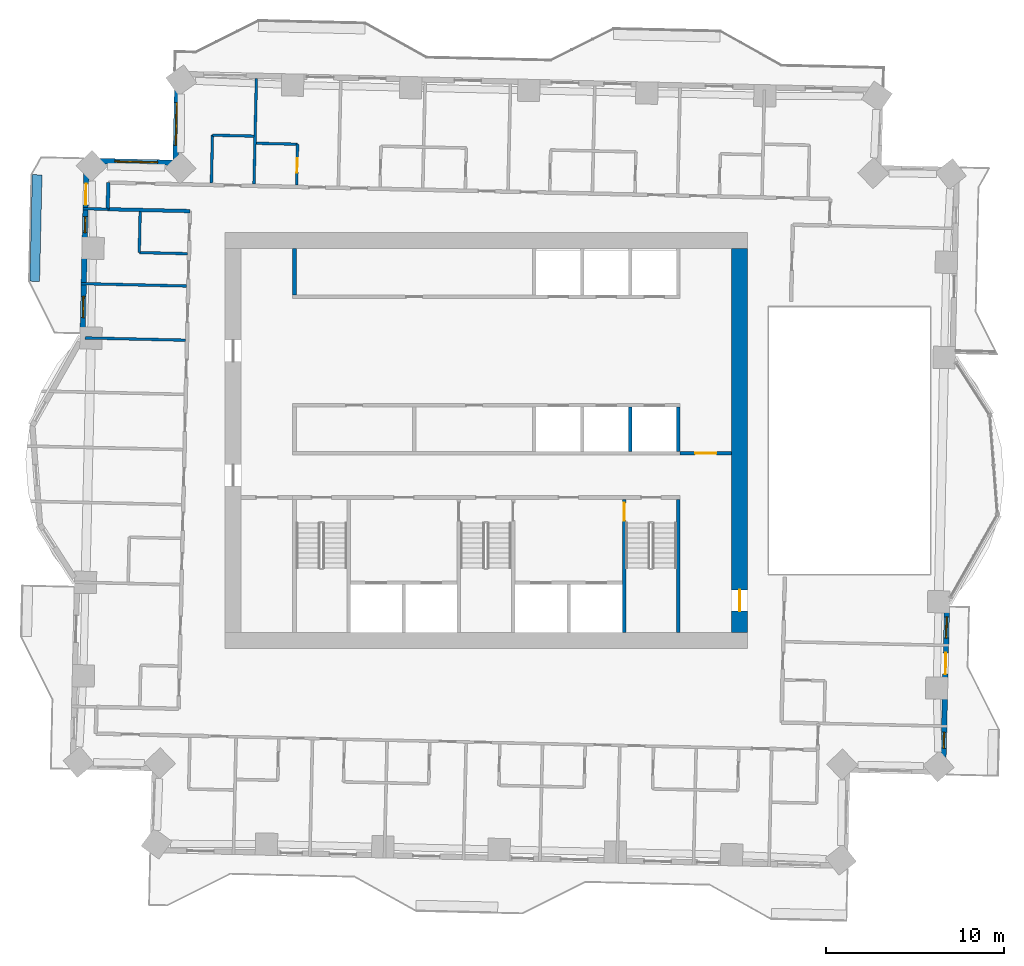
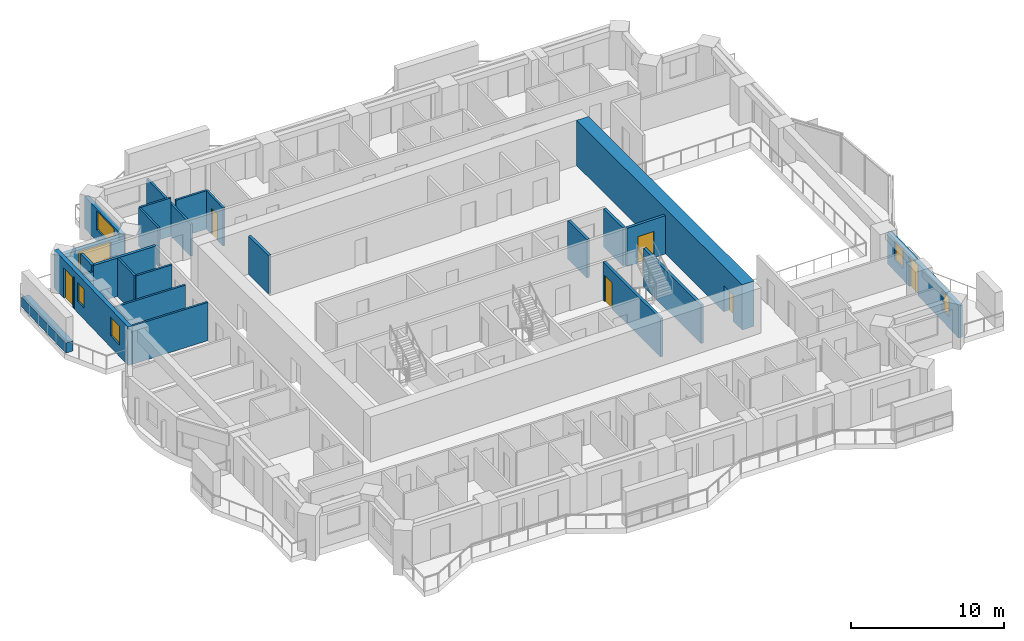
# One storey, part 8 of 15: 24 walls, 6 doors, 6 windows, 12 openings.
"""IFC4 building model written with IfcOpenShell, lengths in metres."""

from ifc_helpers import new_model, si_unit, direction, frame, frame_2d, origin, place, context, subcontext, project, spatial, rectangle, extrude, material, layer, layer_set, type_object, element, fill, save


model = new_model("IFC4")

# Units and contexts
model_context = context("Model", 3, precision=1e-05, world=origin(), true_north=direction((0.0, 1.0)))
body_context = subcontext(model_context, "Body", "Model", "MODEL_VIEW")
ifc_project = project(units=[si_unit("LENGTHUNIT", "METRE"), si_unit("AREAUNIT", "SQUARE_METRE"), si_unit("VOLUMEUNIT", "CUBIC_METRE"), si_unit("PLANEANGLEUNIT", "RADIAN"), si_unit("MASSUNIT", "GRAM", prefix="KILO")], contexts=[model_context])

# Site, building, storey
site_placement = place(None, origin())
site = spatial("IfcSite", under=ifc_project, at=site_placement, CompositionType="ELEMENT")
building_placement = place(site_placement, origin())
building = spatial("IfcBuilding", under=site, at=building_placement, Name="Mangrove Gate Tower", CompositionType="ELEMENT")
storey_placement = place(building_placement, frame((0.0, 0.0, 156.300048828125)))
storey = spatial("IfcBuildingStorey", under=building, at=storey_placement, Name="L39", CompositionType="ELEMENT", Elevation=156.300048828125)

# Wall, opening, door
ifc_material_1 = material(Name="Concrete C32/40", Category="concrete")
ifc_layer_1 = layer(ifc_material_1, 0.199951171875)
ifc_layer_set_1 = layer_set([ifc_layer_1], Name="Core lobby wall 200 C32/40")
wall_type_1 = type_object("IfcWallType", Name="Core lobby wall 200 C32/40", PredefinedType="STANDARD", material=ifc_layer_set_1)
wall_1_placement = place(storey_placement, frame((10.89990234375, -0.699951171875, 0.0), z_axis=(0.0, 0.0, 1.0), x_axis=(1.0, 0.0, 0.0)))
wall_1 = element("IfcWall", 1, at=wall_1_placement, inside=storey, type_object=wall_type_1, Name="WALL-L39-CORE-31", PredefinedType="STANDARD", context=body_context, shape_type="SweptSolid", body=[
    extrude(rectangle(XDim=2.900146484375, YDim=0.199951171875, at=frame_2d((1.4501953125, 0.0))), origin(), (0.0, 0.0, 1.0), 3.050048828125),
])
opening_1_placement = place(wall_1_placement, frame((0.85009765625, 0.0, 0.0)))
opening_1 = element("IfcOpeningElement", 2, at=opening_1_placement, cuts=wall_1, Name="Opening FL12", PredefinedType="OPENING", context=body_context, shape_type="SweptSolid", body=[
    extrude(rectangle(XDim=1.199951171875, YDim=2.10009765625, at=frame_2d((0.60009765625, 1.050048828125))), frame((0.0, 0.10986328125, 0.0), z_axis=(0.0, -1.0, 0.0), x_axis=(1.0, 0.0, 0.0)), (0.0, 0.0, 1.0), 0.219970703125),
])
ifc_material_2 = material(Name="Fire-rated steel door set", Category="steel")
door_type_1 = type_object("IfcDoorType", Name="Lobby door FD60 1200x2100", OperationType="SINGLE_SWING_LEFT", PredefinedType="DOOR", material=ifc_material_2)
door_1_placement = place(opening_1_placement, origin())
door_1 = element("IfcDoor", 3, at=door_1_placement, inside=storey, type_object=door_type_1, Name="Lobby door core corridor E partition", OperationType="SINGLE_SWING_LEFT", OverallHeight=2.10009765625, OverallWidth=1.199951171875, PredefinedType="DOOR", context=body_context, shape_type="SweptSolid", body=[
    extrude(rectangle(XDim=1.199951171875, YDim=2.10009765625, at=frame_2d((0.60009765625, 1.050048828125))), frame((0.0, 0.02490234375, 0.0), z_axis=(0.0, -1.0, 0.0), x_axis=(1.0, 0.0, 0.0)), (0.0, 0.0, 1.0), 0.050048828125),
])
fill(opening_1, door_1)

# Walls
ifc_material_3 = material(Name="Concrete C32/40", Category="concrete")
ifc_layer_2 = layer(ifc_material_3, 0.199951171875)
ifc_layer_set_2 = layer_set([ifc_layer_2], Name="Core room wall 200 C32/40")
wall_type_2 = type_object("IfcWallType", Name="Core room wall 200 C32/40", PredefinedType="STANDARD", material=ifc_layer_set_2)
wall_2_placement = place(storey_placement, frame((-10.800048828125, 8.199951171875, 0.0), z_axis=(0.0, 0.0, 1.0), x_axis=(0.0, 1.0, 0.0)))
element("IfcWall", 4, at=wall_2_placement, inside=storey, type_object=wall_type_2, Name="WALL-L39-CORE-25", PredefinedType="STANDARD", context=body_context, shape_type="SweptSolid", body=[
    extrude(rectangle(XDim=2.60009765625, YDim=0.199951171875, at=frame_2d((1.300048828125, 0.0))), origin(), (0.0, 0.0, 1.0), 3.050048828125),
])
ifc_material_4 = material(Name="Concrete C60/75", Category="concrete")
ifc_layer_3 = layer(ifc_material_4, 0.199951171875)
ifc_layer_set_3 = layer_set([ifc_layer_3], Name="Core shaft wall 200 C60/75")
wall_type_3 = type_object("IfcWallType", Name="Core shaft wall 200 C60/75", PredefinedType="SHEAR", material=ifc_layer_set_3)
for number, where, z_axis, x_axis, name in (
    (5, (8.10009765625, -0.60009765625, 0.0), (0.0, 0.0, 1.0), (0.0, 1.0, 0.0), "WALL-L39-CORE-23"),
    (6, (10.800048828125, -0.60009765625, 0.0), (0.0, 0.0, 1.0), (0.0, 1.0, 0.0), "WALL-L39-CORE-24"),
):
    element("IfcWall", number, at=place(storey_placement, frame(where, z_axis=z_axis, x_axis=x_axis)), inside=storey, type_object=wall_type_3, Name=name, PredefinedType="SHEAR", context=body_context, shape_type="SweptSolid", body=[
        extrude(rectangle(XDim=2.5, YDim=0.199951171875, at=frame_2d((1.25, 0.0))), origin(), (0.0, 0.0, 1.0), 3.050048828125),
    ])

# Wall, opening, door
ifc_material_5 = material(Name="Concrete C60/75", Category="concrete")
ifc_layer_4 = layer(ifc_material_5, 0.199951171875)
ifc_layer_set_4 = layer_set([ifc_layer_4], Name="Core stair wall 200 C60/75")
wall_type_4 = type_object("IfcWallType", Name="Core stair wall 200 C60/75", PredefinedType="SHEAR", material=ifc_layer_set_4)
wall_3_placement = place(storey_placement, frame((7.75, -10.800048828125, 0.0), z_axis=(0.0, 0.0, 1.0), x_axis=(0.0, 1.0, 0.0)))
wall_3 = element("IfcWall", 7, at=wall_3_placement, inside=storey, type_object=wall_type_4, Name="WALL-L39-CORE-13", PredefinedType="SHEAR", context=body_context, shape_type="SweptSolid", body=[
    extrude(rectangle(XDim=7.5, YDim=0.199951171875, at=frame_2d((3.75, 0.0))), origin(), (0.0, 0.0, 1.0), 3.050048828125),
])
opening_2_placement = place(wall_3_placement, frame((6.300048828125, 0.0, 0.0)))
opening_2 = element("IfcOpeningElement", 8, at=opening_2_placement, cuts=wall_3, Name="Opening STD10", PredefinedType="OPENING", context=body_context, shape_type="SweptSolid", body=[
    extrude(rectangle(XDim=1.0, YDim=2.10009765625, at=frame_2d((0.5, 1.050048828125))), frame((0.0, 0.10986328125, 0.0), z_axis=(0.0, -1.0, 0.0), x_axis=(1.0, 0.0, 0.0)), (0.0, 0.0, 1.0), 0.219970703125),
])
ifc_material_6 = material(Name="Fire-rated steel door set", Category="steel")
door_type_2 = type_object("IfcDoorType", Name="Stair door FD60 1000x2100", OperationType="SINGLE_SWING_RIGHT", PredefinedType="DOOR", material=ifc_material_6)
door_2_placement = place(opening_2_placement, origin())
door_2 = element("IfcDoor", 9, at=door_2_placement, inside=storey, type_object=door_type_2, Name="Stair door Stair 3 from fire-fighting lobby", OperationType="SINGLE_SWING_RIGHT", OverallHeight=2.10009765625, OverallWidth=1.0, PredefinedType="DOOR", context=body_context, shape_type="SweptSolid", body=[
    extrude(rectangle(XDim=1.0, YDim=2.10009765625, at=frame_2d((0.5, 1.050048828125))), frame((0.0, 0.02490234375, 0.0), z_axis=(0.0, -1.0, 0.0), x_axis=(1.0, 0.0, 0.0)), (0.0, 0.0, 1.0), 0.050048828125),
])
fill(opening_2, door_2)

# Wall
wall_4_placement = place(storey_placement, frame((10.800048828125, -10.800048828125, 0.0), z_axis=(0.0, 0.0, 1.0), x_axis=(0.0, 1.0, 0.0)))
element("IfcWall", 10, at=wall_4_placement, inside=storey, type_object=wall_type_4, Name="WALL-L39-CORE-14", PredefinedType="SHEAR", context=body_context, shape_type="SweptSolid", body=[
    extrude(rectangle(XDim=7.5, YDim=0.199951171875, at=frame_2d((3.75, 0.0))), origin(), (0.0, 0.0, 1.0), 3.050048828125),
])

# Wall, opening, door
ifc_material_7 = material(Name="Concrete C60/75", Category="concrete")
ifc_layer_5 = layer(ifc_material_7, 0.89990234375)
ifc_layer_set_5 = layer_set([ifc_layer_5], Name="Core wall 900 C60/75")
wall_type_5 = type_object("IfcWallType", Name="Core wall 900 C60/75", PredefinedType="SHEAR", material=ifc_layer_set_5)
wall_5_placement = place(storey_placement, frame((14.25, -10.800048828125, 0.0), z_axis=(0.0, 0.0, 1.0), x_axis=(0.0, 1.0, 0.0)))
wall_5 = element("IfcWall", 11, at=wall_5_placement, inside=storey, type_object=wall_type_5, Name="WALL-L39-CORE-4", PredefinedType="SHEAR", context=body_context, shape_type="SweptSolid", body=[
    extrude(rectangle(XDim=21.60009765625, YDim=0.89990234375, at=frame_2d((10.800048828125, 0.0))), origin(), (0.0, 0.0, 1.0), 3.599853515625),
])
opening_3_placement = place(wall_5_placement, frame((1.199951171875, 0.0, 0.0)))
opening_3 = element("IfcOpeningElement", 12, at=opening_3_placement, cuts=wall_5, Name="Opening CD", PredefinedType="OPENING", context=body_context, shape_type="SweptSolid", body=[
    extrude(rectangle(XDim=1.199951171875, YDim=2.10009765625, at=frame_2d((0.60009765625, 1.050048828125))), frame((0.0, 0.4599609375, 0.0), z_axis=(0.0, -1.0, 0.0), x_axis=(1.0, 0.0, 0.0)), (0.0, 0.0, 1.0), 0.919921875),
])
ifc_material_8 = material(Name="Fire-rated steel door set", Category="steel")
door_type_3 = type_object("IfcDoorType", Name="Core ring door FD60 1200x2100", OperationType="DOUBLE_DOOR_SINGLE_SWING", PredefinedType="DOOR", material=ifc_material_8)
door_3_placement = place(opening_3_placement, origin())
door_3 = element("IfcDoor", 13, at=door_3_placement, inside=storey, type_object=door_type_3, Name="Core ring door E1", OperationType="DOUBLE_DOOR_SINGLE_SWING", OverallHeight=2.10009765625, OverallWidth=1.199951171875, PredefinedType="DOOR", context=body_context, shape_type="SweptSolid", body=[
    extrude(rectangle(XDim=1.199951171875, YDim=2.10009765625, at=frame_2d((0.60009765625, 1.050048828125))), frame((0.0, 0.02490234375, 0.0), z_axis=(0.0, -1.0, 0.0), x_axis=(1.0, 0.0, 0.0)), (0.0, 0.0, 1.0), 0.050048828125),
])
fill(opening_3, door_3)

# Walls
ifc_material_9 = material(Name="Gypsum board on steel stud, EI 60", Category="steel")
ifc_layer_6 = layer(ifc_material_9, 0.199951171875)
ifc_layer_set_6 = layer_set([ifc_layer_6], Name="Corridor wall EI 60")
wall_type_6 = type_object("IfcWallType", Name="Corridor wall EI 60", PredefinedType="PARTITIONING", material=ifc_layer_set_6)
wall_6_placement = place(storey_placement, frame((-21.31298828125, 13.02392578125, 0.0), z_axis=(0.0, 0.0, 1.0), x_axis=(0.999738699021, -0.022858995594, 0.0)))
element("IfcWall", 14, at=wall_6_placement, inside=storey, type_object=wall_type_6, Name="WALL-L39-052", PredefinedType="PARTITIONING", context=body_context, shape_type="SweptSolid", body=[
    extrude(rectangle(XDim=4.63525390625, YDim=0.199951171875, at=frame_2d((2.317626953125, 0.0))), origin(), (0.0, 0.0, 1.0), 3.050048828125),
])
wall_7_placement = place(storey_placement, frame((-21.31298828125, 13.02392578125, 0.0), z_axis=(0.0, 0.0, 1.0), x_axis=(0.022632637625, 0.99974384905, 0.0)))
element("IfcWall", 15, at=wall_7_placement, inside=storey, type_object=wall_type_6, Name="WALL-L39-053", PredefinedType="PARTITIONING", context=body_context, shape_type="SweptSolid", body=[
    extrude(rectangle(XDim=1.49951171875, YDim=0.199951171875, at=frame_2d((0.749755859375, 0.0))), origin(), (0.0, 0.0, 1.0), 3.050048828125),
])

# Wall, openings, door, windows
ifc_material_10 = material(Name="Limestone", Category="masonry")
ifc_layer_7 = layer(ifc_material_10, 0.0400390625, Name="Limestone cladding")
ifc_material_11 = material(Name="Ventilated air gap")
ifc_layer_8 = layer(ifc_material_11, 0.0400390625, Name="Ventilated cavity")
ifc_material_12 = material(Name="Mineral wool insulation")
ifc_layer_9 = layer(ifc_material_12, 0.06005859375, Name="Insulation")
ifc_material_13 = material(Name="Breather membrane")
ifc_layer_10 = layer(ifc_material_13, 0.001953125, Name="Breather membrane")
ifc_material_14 = material(Name="Concrete C20/25 blockwork", Category="masonry")
ifc_layer_11 = layer(ifc_material_14, 0.14990234375, Name="Blockwork backing wall")
ifc_material_15 = material(Name="Gypsum plaster")
ifc_layer_12 = layer(ifc_material_15, 0.008056640625, Name="Internal plaster")
ifc_layer_set_7 = layer_set([ifc_layer_7, ifc_layer_8, ifc_layer_9, ifc_layer_10, ifc_layer_11, ifc_layer_12], Name="External wall 300 limestone cladding")
wall_type_7 = type_object("IfcWallType", Name="External wall 300 limestone cladding", PredefinedType="SOLIDWALL", material=ifc_layer_set_7)
wall_8_placement = place(storey_placement, frame((25.7099609375, -18.65087890625, 0.0), z_axis=(0.0, 0.0, 1.0), x_axis=(0.02274444447, 0.999741311663, 0.0)))
wall_8 = element("IfcWall", 16, at=wall_8_placement, inside=storey, type_object=wall_type_7, Name="WALL-L39-E0", PredefinedType="SOLIDWALL", context=body_context, shape_type="SweptSolid", body=[
    extrude(rectangle(XDim=9.62841796875, YDim=0.300048828125, at=frame_2d((4.814208984375, 0.0))), origin(), (0.0, 0.0, 1.0), 2.550048828125),
])
opening_4_placement = place(wall_8_placement, frame((1.3369140625, 0.0, 0.89990234375)))
opening_4 = element("IfcOpeningElement", 17, at=opening_4_placement, cuts=wall_8, Name="Opening W5", PredefinedType="OPENING", context=body_context, shape_type="SweptSolid", body=[
    extrude(rectangle(XDim=0.89990234375, YDim=1.5, at=frame_2d((0.449951171875, 0.75))), frame((0.0, 0.159912109375, 0.0), z_axis=(0.0, -1.0, 0.0), x_axis=(1.0, 0.0, 0.0)), (0.0, 0.0, 1.0), 0.320068359375),
])
opening_5_placement = place(wall_8_placement, frame((5.506103515625, 0.0, 0.0)))
opening_5 = element("IfcOpeningElement", 18, at=opening_5_placement, cuts=wall_8, Name="Opening BD2", PredefinedType="OPENING", context=body_context, shape_type="SweptSolid", body=[
    extrude(rectangle(XDim=1.199951171875, YDim=2.39990234375, at=frame_2d((0.60009765625, 1.199951171875))), frame((0.0, 0.159912109375, 0.0), z_axis=(0.0, -1.0, 0.0), x_axis=(1.0, 0.0, 0.0)), (0.0, 0.0, 1.0), 0.320068359375),
])
opening_6_placement = place(wall_8_placement, frame((7.537109375, 0.0, 0.89990234375)))
opening_6 = element("IfcOpeningElement", 19, at=opening_6_placement, cuts=wall_8, Name="Opening W1", PredefinedType="OPENING", context=body_context, shape_type="SweptSolid", body=[
    extrude(rectangle(XDim=1.199951171875, YDim=1.5, at=frame_2d((0.60009765625, 0.75))), frame((0.0, 0.159912109375, 0.0), z_axis=(0.0, -1.0, 0.0), x_axis=(1.0, 0.0, 0.0)), (0.0, 0.0, 1.0), 0.320068359375),
])
ifc_material_16 = material(Name="Aluminium frame with laminated clear glass", Category="aluminium")
door_type_4 = type_object("IfcDoorType", Name="Balcony sliding door 1200x2400", OperationType="SLIDING_TO_LEFT", PredefinedType="DOOR", material=ifc_material_16)
door_4_placement = place(opening_5_placement, origin())
door_4 = element("IfcDoor", 20, at=door_4_placement, inside=storey, type_object=door_type_4, Name="DOOR-L39-E0-2", OperationType="SLIDING_TO_LEFT", OverallHeight=2.39990234375, OverallWidth=1.199951171875, PredefinedType="DOOR", context=body_context, shape_type="SweptSolid", body=[
    extrude(rectangle(XDim=1.199951171875, YDim=2.39990234375, at=frame_2d((0.60009765625, 1.199951171875))), frame((0.0, 0.02490234375, 0.0), z_axis=(0.0, -1.0, 0.0), x_axis=(1.0, 0.0, 0.0)), (0.0, 0.0, 1.0), 0.050048828125),
])
fill(opening_5, door_4)
ifc_material_17 = material(Name="Aluminium frame with double-glazed low-e glass", Category="aluminium")
window_type_1 = type_object("IfcWindowType", Name="Narrow window 900x1500", PartitioningType="SINGLE_PANEL", PredefinedType="WINDOW", material=ifc_material_17)
window_1_placement = place(opening_4_placement, origin())
window_1 = element("IfcWindow", 21, at=window_1_placement, inside=storey, type_object=window_type_1, Name="WIN-L39-E0-1", OverallHeight=1.5, OverallWidth=0.89990234375, PartitioningType="SINGLE_PANEL", PredefinedType="WINDOW", context=body_context, shape_type="SweptSolid", body=[
    extrude(rectangle(XDim=0.89990234375, YDim=1.5, at=frame_2d((0.449951171875, 0.75))), frame((0.0, 0.030029296875, 0.0), z_axis=(0.0, -1.0, 0.0), x_axis=(1.0, 0.0, 0.0)), (0.0, 0.0, 1.0), 0.06005859375),
])
fill(opening_4, window_1)
ifc_material_18 = material(Name="Aluminium frame with double-glazed low-e glass", Category="aluminium")
window_type_2 = type_object("IfcWindowType", Name="Side lite 1200x1500", PartitioningType="SINGLE_PANEL", PredefinedType="WINDOW", material=ifc_material_18)
window_2_placement = place(opening_6_placement, origin())
window_2 = element("IfcWindow", 22, at=window_2_placement, inside=storey, type_object=window_type_2, Name="WIN-L39-E0-3", OverallHeight=1.5, OverallWidth=1.199951171875, PartitioningType="SINGLE_PANEL", PredefinedType="WINDOW", context=body_context, shape_type="SweptSolid", body=[
    extrude(rectangle(XDim=1.199951171875, YDim=1.5, at=frame_2d((0.60009765625, 0.75))), frame((0.0, 0.030029296875, 0.0), z_axis=(0.0, -1.0, 0.0), x_axis=(1.0, 0.0, 0.0)), (0.0, 0.0, 1.0), 0.06005859375),
])
fill(opening_6, window_2)

# Wall, opening, window
wall_9_placement = place(storey_placement, frame((-17.388916015625, 20.636962890625, 0.0), z_axis=(0.0, 0.0, 1.0), x_axis=(-0.022801259434, -0.999740017489, 0.0)))
wall_9 = element("IfcWall", 23, at=wall_9_placement, inside=storey, type_object=wall_type_7, Name="WALL-L39-W6", PredefinedType="SOLIDWALL", context=body_context, shape_type="SweptSolid", body=[
    extrude(rectangle(XDim=5.000244140625, YDim=0.300048828125, at=frame_2d((2.5, 0.0))), origin(), (0.0, 0.0, 1.0), 2.550048828125),
])
opening_7_placement = place(wall_9_placement, frame((1.615966796875, 0.0, 0.89990234375)))
opening_7 = element("IfcOpeningElement", 24, at=opening_7_placement, cuts=wall_9, Name="Opening W2", PredefinedType="OPENING", context=body_context, shape_type="SweptSolid", body=[
    extrude(rectangle(XDim=2.39990234375, YDim=1.5, at=frame_2d((1.199951171875, 0.75))), frame((0.0, 0.159912109375, 0.0), z_axis=(0.0, -1.0, 0.0), x_axis=(1.0, 0.0, 0.0)), (0.0, 0.0, 1.0), 0.320068359375),
])
ifc_material_19 = material(Name="Aluminium frame with double-glazed low-e glass", Category="aluminium")
window_type_3 = type_object("IfcWindowType", Name="Corner room window 2400x1500", PartitioningType="DOUBLE_PANEL_VERTICAL", PredefinedType="WINDOW", material=ifc_material_19)
window_3_placement = place(opening_7_placement, origin())
window_3 = element("IfcWindow", 25, at=window_3_placement, inside=storey, type_object=window_type_3, Name="WIN-L39-W6-1", OverallHeight=1.5, OverallWidth=2.39990234375, PartitioningType="DOUBLE_PANEL_VERTICAL", PredefinedType="WINDOW", context=body_context, shape_type="SweptSolid", body=[
    extrude(rectangle(XDim=2.39990234375, YDim=1.5, at=frame_2d((1.199951171875, 0.75))), frame((0.0, 0.030029296875, 0.0), z_axis=(0.0, -1.0, 0.0), x_axis=(1.0, 0.0, 0.0)), (0.0, 0.0, 1.0), 0.06005859375),
])
fill(opening_7, window_3)

wall_10_placement = place(storey_placement, frame((-17.5029296875, 15.637939453125, 0.0), z_axis=(0.0, 0.0, 1.0), x_axis=(-0.999744350543, 0.022610474516, 0.0)))
wall_10 = element("IfcWall", 26, at=wall_10_placement, inside=storey, type_object=wall_type_7, Name="WALL-L39-N7", PredefinedType="SOLIDWALL", context=body_context, shape_type="SweptSolid", body=[
    extrude(rectangle(XDim=4.999267578125, YDim=0.300048828125, at=frame_2d((2.49951171875, 0.0))), origin(), (0.0, 0.0, 1.0), 2.550048828125),
])
opening_8_placement = place(wall_10_placement, frame((1.007080078125, 0.0, 0.89990234375)))
opening_8 = element("IfcOpeningElement", 27, at=opening_8_placement, cuts=wall_10, Name="Opening W2", PredefinedType="OPENING", context=body_context, shape_type="SweptSolid", body=[
    extrude(rectangle(XDim=2.39990234375, YDim=1.5, at=frame_2d((1.199951171875, 0.75))), frame((0.0, 0.159912109375, 0.0), z_axis=(0.0, -1.0, 0.0), x_axis=(1.0, 0.0, 0.0)), (0.0, 0.0, 1.0), 0.320068359375),
])
window_4_placement = place(opening_8_placement, origin())
window_4 = element("IfcWindow", 28, at=window_4_placement, inside=storey, type_object=window_type_3, Name="WIN-L39-N7-1", OverallHeight=1.5, OverallWidth=2.39990234375, PartitioningType="DOUBLE_PANEL_VERTICAL", PredefinedType="WINDOW", context=body_context, shape_type="SweptSolid", body=[
    extrude(rectangle(XDim=2.39990234375, YDim=1.5, at=frame_2d((1.199951171875, 0.75))), frame((0.0, 0.030029296875, 0.0), z_axis=(0.0, -1.0, 0.0), x_axis=(1.0, 0.0, 0.0)), (0.0, 0.0, 1.0), 0.06005859375),
])
fill(opening_8, window_4)

# Wall, openings, door, windows
wall_11_placement = place(storey_placement, frame((-22.5009765625, 15.7509765625, 0.0), z_axis=(0.0, 0.0, 1.0), x_axis=(-0.022737995473, -0.999741458359, 0.0)))
wall_11 = element("IfcWall", 29, at=wall_11_placement, inside=storey, type_object=wall_type_7, Name="WALL-L39-W8", PredefinedType="SOLIDWALL", context=body_context, shape_type="SweptSolid", body=[
    extrude(rectangle(XDim=10.028564453125, YDim=0.300048828125, at=frame_2d((5.01416015625, 0.0))), origin(), (0.0, 0.0, 1.0), 3.050048828125),
])
opening_9_placement = place(wall_11_placement, frame((1.287109375, 0.0, 0.0)))
opening_9 = element("IfcOpeningElement", 30, at=opening_9_placement, cuts=wall_11, Name="Opening BD2", PredefinedType="OPENING", context=body_context, shape_type="SweptSolid", body=[
    extrude(rectangle(XDim=1.199951171875, YDim=2.39990234375, at=frame_2d((0.60009765625, 1.199951171875))), frame((0.0, 0.159912109375, 0.0), z_axis=(0.0, -1.0, 0.0), x_axis=(1.0, 0.0, 0.0)), (0.0, 0.0, 1.0), 0.320068359375),
])
opening_10_placement = place(wall_11_placement, frame((3.14404296875, 0.0, 0.89990234375)))
opening_10 = element("IfcOpeningElement", 31, at=opening_10_placement, cuts=wall_11, Name="Opening W5", PredefinedType="OPENING", context=body_context, shape_type="SweptSolid", body=[
    extrude(rectangle(XDim=0.89990234375, YDim=1.5, at=frame_2d((0.449951171875, 0.75))), frame((0.0, 0.159912109375, 0.0), z_axis=(0.0, -1.0, 0.0), x_axis=(1.0, 0.0, 0.0)), (0.0, 0.0, 1.0), 0.320068359375),
])
opening_11_placement = place(wall_11_placement, frame((7.636962890625, 0.0, 0.89990234375)))
opening_11 = element("IfcOpeningElement", 32, at=opening_11_placement, cuts=wall_11, Name="Opening W1", PredefinedType="OPENING", context=body_context, shape_type="SweptSolid", body=[
    extrude(rectangle(XDim=1.199951171875, YDim=1.5, at=frame_2d((0.60009765625, 0.75))), frame((0.0, 0.159912109375, 0.0), z_axis=(0.0, -1.0, 0.0), x_axis=(1.0, 0.0, 0.0)), (0.0, 0.0, 1.0), 0.320068359375),
])
door_5_placement = place(opening_9_placement, origin())
door_5 = element("IfcDoor", 33, at=door_5_placement, inside=storey, type_object=door_type_4, Name="DOOR-L39-W8-1", OperationType="SLIDING_TO_LEFT", OverallHeight=2.39990234375, OverallWidth=1.199951171875, PredefinedType="DOOR", context=body_context, shape_type="SweptSolid", body=[
    extrude(rectangle(XDim=1.199951171875, YDim=2.39990234375, at=frame_2d((0.60009765625, 1.199951171875))), frame((0.0, 0.02490234375, 0.0), z_axis=(0.0, -1.0, 0.0), x_axis=(1.0, 0.0, 0.0)), (0.0, 0.0, 1.0), 0.050048828125),
])
fill(opening_9, door_5)
window_5_placement = place(opening_10_placement, origin())
window_5 = element("IfcWindow", 34, at=window_5_placement, inside=storey, type_object=window_type_1, Name="WIN-L39-W8-2", OverallHeight=1.5, OverallWidth=0.89990234375, PartitioningType="SINGLE_PANEL", PredefinedType="WINDOW", context=body_context, shape_type="SweptSolid", body=[
    extrude(rectangle(XDim=0.89990234375, YDim=1.5, at=frame_2d((0.449951171875, 0.75))), frame((0.0, 0.030029296875, 0.0), z_axis=(0.0, -1.0, 0.0), x_axis=(1.0, 0.0, 0.0)), (0.0, 0.0, 1.0), 0.06005859375),
])
fill(opening_10, window_5)
window_6_placement = place(opening_11_placement, origin())
window_6 = element("IfcWindow", 35, at=window_6_placement, inside=storey, type_object=window_type_2, Name="WIN-L39-W8-3", OverallHeight=1.5, OverallWidth=1.199951171875, PartitioningType="SINGLE_PANEL", PredefinedType="WINDOW", context=body_context, shape_type="SweptSolid", body=[
    extrude(rectangle(XDim=1.199951171875, YDim=1.5, at=frame_2d((0.60009765625, 0.75))), frame((0.0, 0.030029296875, 0.0), z_axis=(0.0, -1.0, 0.0), x_axis=(1.0, 0.0, 0.0)), (0.0, 0.0, 1.0), 0.06005859375),
])
fill(opening_11, window_6)

# Walls
ifc_material_20 = material(Name="Gypsum board on steel stud, EI 60", Category="steel")
ifc_layer_13 = layer(ifc_material_20, 0.14990234375)
ifc_layer_set_8 = layer_set([ifc_layer_13], Name="Party wall 150 EI 60")
wall_type_8 = type_object("IfcWallType", Name="Party wall 150 EI 60", PredefinedType="PARTITIONING", material=ifc_layer_set_8)
wall_12_placement = place(storey_placement, frame((-22.577880859375, 5.780029296875, 0.0), z_axis=(0.0, 0.0, 1.0), x_axis=(0.999746200787, -0.022528515532, 0.0)))
element("IfcWall", 36, at=wall_12_placement, inside=storey, type_object=wall_type_8, Name="WALL-L39-046", PredefinedType="PARTITIONING", context=body_context, shape_type="SweptSolid", body=[
    extrude(rectangle(XDim=5.63525390625, YDim=0.14990234375, at=frame_2d((2.817626953125, 0.0))), origin(), (0.0, 0.0, 1.0), 3.050048828125),
])
wall_13_placement = place(storey_placement, frame((-22.80810546875, 8.8359375, 0.0), z_axis=(0.0, 0.0, 1.0), x_axis=(0.999744927012, -0.022584970987, 0.0)))
element("IfcWall", 37, at=wall_13_placement, inside=storey, type_object=wall_type_8, Name="WALL-L39-047", PredefinedType="PARTITIONING", context=body_context, shape_type="SweptSolid", body=[
    extrude(rectangle(XDim=5.9345703125, YDim=0.14990234375, at=frame_2d((2.96728515625, 0.0))), origin(), (0.0, 0.0, 1.0), 2.550048828125),
])
wall_14_placement = place(storey_placement, frame((-19.5380859375, 10.5830078125, 0.0), z_axis=(0.0, 0.0, 1.0), x_axis=(0.022612884682, 0.999744296031, 0.0)))
element("IfcWall", 38, at=wall_14_placement, inside=storey, type_object=wall_type_8, Name="WALL-L39-049", PredefinedType="PARTITIONING", context=body_context, shape_type="SweptSolid", body=[
    extrude(rectangle(XDim=2.299560546875, YDim=0.14990234375, at=frame_2d((1.14990234375, 0.0))), origin(), (0.0, 0.0, 1.0), 3.050048828125),
])
wall_15_placement = place(storey_placement, frame((-19.532958984375, 10.5830078125, 0.0), z_axis=(0.0, 0.0, 1.0), x_axis=(0.999736155505, -0.022969966847, 0.0)))
element("IfcWall", 39, at=wall_15_placement, inside=storey, type_object=wall_type_8, Name="WALL-L39-050", PredefinedType="PARTITIONING", context=body_context, shape_type="SweptSolid", body=[
    extrude(rectangle(XDim=2.69970703125, YDim=0.14990234375, at=frame_2d((1.349853515625, 0.0))), origin(), (0.0, 0.0, 1.0), 3.050048828125),
])
wall_16_placement = place(storey_placement, frame((-22.712890625, 13.054931640625, 0.0), z_axis=(0.0, 0.0, 1.0), x_axis=(0.999756172383, -0.022081571112, 0.0)))
element("IfcWall", 40, at=wall_16_placement, inside=storey, type_object=wall_type_8, Name="WALL-L39-051", PredefinedType="PARTITIONING", context=body_context, shape_type="SweptSolid", body=[
    extrude(rectangle(XDim=1.404052734375, YDim=0.14990234375, at=frame_2d((0.7021484375, 0.0))), origin(), (0.0, 0.0, 1.0), 2.550048828125),
])
wall_17_placement = place(storey_placement, frame((-15.47802734375, 14.491943359375, 0.0), z_axis=(0.0, 0.0, 1.0), x_axis=(0.02260842146, 0.999744396973, 0.0)))
element("IfcWall", 41, at=wall_17_placement, inside=storey, type_object=wall_type_8, Name="WALL-L39-058", PredefinedType="PARTITIONING", context=body_context, shape_type="SweptSolid", body=[
    extrude(rectangle(XDim=2.69970703125, YDim=0.14990234375, at=frame_2d((1.349853515625, 0.0))), origin(), (0.0, 0.0, 1.0), 3.050048828125),
])
wall_18_placement = place(storey_placement, frame((-13.0791015625, 14.43701171875, 0.0), z_axis=(0.0, 0.0, 1.0), x_axis=(0.022688785847, 0.999742576365, 0.0)))
element("IfcWall", 42, at=wall_18_placement, inside=storey, type_object=wall_type_8, Name="WALL-L39-059", PredefinedType="PARTITIONING", context=body_context, shape_type="SweptSolid", body=[
    extrude(rectangle(XDim=5.950439453125, YDim=0.14990234375, at=frame_2d((2.97509765625, 0.0))), origin(), (0.0, 0.0, 1.0), 2.550048828125),
])

# Wall, opening, door
wall_19_placement = place(storey_placement, frame((-10.678955078125, 14.383056640625, 0.0), z_axis=(0.0, 0.0, 1.0), x_axis=(0.022615284993, 0.999744241736, 0.0)))
wall_19 = element("IfcWall", 43, at=wall_19_placement, inside=storey, type_object=wall_type_8, Name="WALL-L39-060", PredefinedType="PARTITIONING", context=body_context, shape_type="SweptSolid", body=[
    extrude(rectangle(XDim=2.29931640625, YDim=0.14990234375, at=frame_2d((1.149658203125, 0.0))), origin(), (0.0, 0.0, 1.0), 3.050048828125),
])
opening_12_placement = place(wall_19_placement, frame((0.699951171875, 0.0, 0.0)))
opening_12 = element("IfcOpeningElement", 44, at=opening_12_placement, cuts=wall_19, Name="Opening ED", PredefinedType="OPENING", context=body_context, shape_type="SweptSolid", body=[
    extrude(rectangle(XDim=0.800048828125, YDim=2.10009765625, at=frame_2d((0.39990234375, 1.050048828125))), frame((0.0, 0.0849609375, 0.0), z_axis=(0.0, -1.0, 0.0), x_axis=(1.0, 0.0, 0.0)), (0.0, 0.0, 1.0), 0.169921875),
])
ifc_material_21 = material(Name="Timber door leaf", Category="wood")
door_type_5 = type_object("IfcDoorType", Name="En-suite door 800", OperationType="SINGLE_SWING_LEFT", PredefinedType="DOOR", material=ifc_material_21)
door_6_placement = place(opening_12_placement, origin())
door_6 = element("IfcDoor", 45, at=door_6_placement, inside=storey, type_object=door_type_5, Name="DOOR-L39-ENS-c514", OperationType="SINGLE_SWING_RIGHT", OverallHeight=2.10009765625, OverallWidth=0.800048828125, PredefinedType="DOOR", context=body_context, shape_type="SweptSolid", body=[
    extrude(rectangle(XDim=0.800048828125, YDim=2.10009765625, at=frame_2d((0.39990234375, 1.050048828125))), frame((0.0, 0.02490234375, 0.0), z_axis=(0.0, -1.0, 0.0), x_axis=(1.0, 0.0, 0.0)), (0.0, 0.0, 1.0), 0.050048828125),
])
fill(opening_12, door_6)

# Walls
wall_20_placement = place(storey_placement, frame((-12.951904296875, 16.735107421875, 0.0), z_axis=(0.0, 0.0, 1.0), x_axis=(0.999738082346, -0.022885950011, 0.0)))
element("IfcWall", 46, at=wall_20_placement, inside=storey, type_object=wall_type_8, Name="WALL-L39-073", PredefinedType="PARTITIONING", context=body_context, shape_type="SweptSolid", body=[
    extrude(rectangle(XDim=2.325439453125, YDim=0.14990234375, at=frame_2d((1.16259765625, 0.0))), origin(), (0.0, 0.0, 1.0), 3.050048828125),
])
wall_21_placement = place(storey_placement, frame((-15.4169921875, 17.19091796875, 0.0), z_axis=(0.0, 0.0, 1.0), x_axis=(0.999740260747, -0.02279059109, 0.0)))
element("IfcWall", 47, at=wall_21_placement, inside=storey, type_object=wall_type_8, Name="WALL-L39-077", PredefinedType="PARTITIONING", context=body_context, shape_type="SweptSolid", body=[
    extrude(rectangle(XDim=2.324462890625, YDim=0.14990234375, at=frame_2d((1.162109375, 0.0))), origin(), (0.0, 0.0, 1.0), 3.050048828125),
])
ifc_material_22 = material(Name="Concrete C32/40", Category="concrete")
ifc_layer_14 = layer(ifc_material_22, 0.199951171875, Name="Planter trough wall")
ifc_material_23 = material(Name="Bituminous waterproofing membrane")
ifc_layer_15 = layer(ifc_material_23, 0.0048828125, Name="Waterproofing")
ifc_material_24 = material(Name="Drainage board and gravel")
ifc_layer_16 = layer(ifc_material_24, 0.044921875, Name="Drainage layer")
ifc_material_25 = material(Name="Planting soil")
ifc_layer_17 = layer(ifc_material_25, 0.300048828125, Name="Growing medium")
ifc_layer_set_9 = layer_set([ifc_layer_14, ifc_layer_15, ifc_layer_16, ifc_layer_17], Name="Planter wall 550 C32/40")
wall_type_9 = type_object("IfcWallType", Name="Planter wall 550 C32/40", PredefinedType="USERDEFINED", material=ifc_layer_set_9)
wall_22_placement = place(storey_placement, frame((-25.4208984375, 8.966064453125, 0.0), z_axis=(0.0, 0.0, 1.0), x_axis=(0.022665943652, 0.999743094499, 0.0)))
element("IfcWall", 48, at=wall_22_placement, inside=storey, type_object=wall_type_9, Name="PLANTER L39 W0.1", ObjectType="PLANTER", PredefinedType="USERDEFINED", context=body_context, shape_type="SweptSolid", body=[
    extrude(rectangle(XDim=5.99951171875, YDim=0.550048828125, at=frame_2d((2.999755859375, 0.0))), origin(), (0.0, 0.0, 1.0), 0.800048828125),
])

save(model, "model.ifc")
